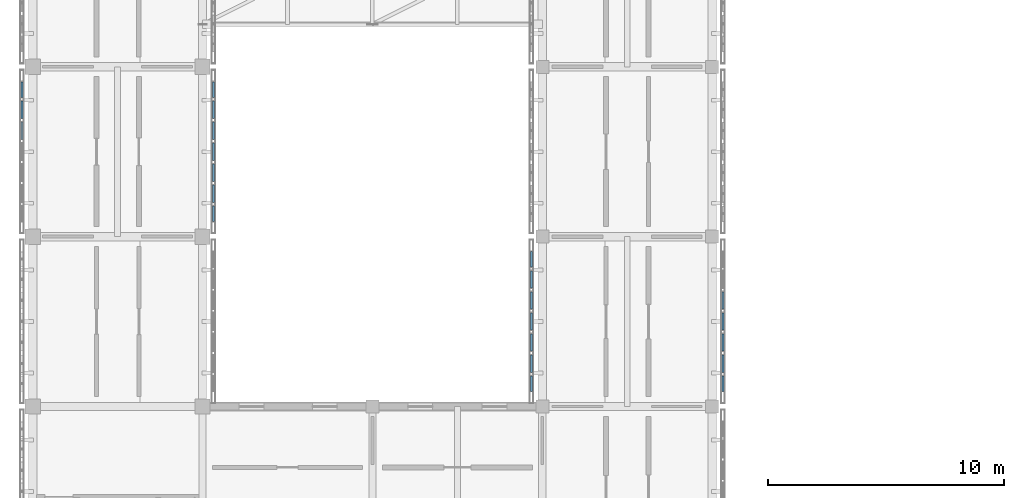
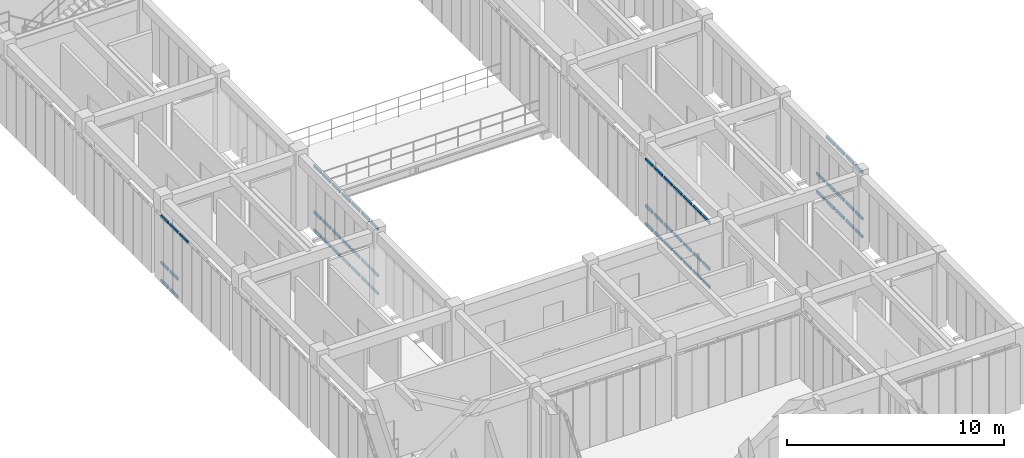
# One storey, part 26 of 91: 63 members, 4 elements without a shape of their own.
"""IFC4 building model written with IfcOpenShell, lengths in metres."""

from ifc_helpers import new_model, si_unit, direction, frame, origin, origin_2d, place, context, subcontext, project, spatial, hollow_rectangle, extrude, material, material_profile, profile_set, type_object, element, aggregate, save


model = new_model("IFC4")

# Units and contexts
model_context = context("Model", 3, precision=1e-05, world=origin(), true_north=direction((0.0, 1.0)))
body_context = subcontext(model_context, "Body", "Model", "MODEL_VIEW")
ifc_project = project(units=[si_unit("LENGTHUNIT", "METRE"), si_unit("AREAUNIT", "SQUARE_METRE"), si_unit("VOLUMEUNIT", "CUBIC_METRE"), si_unit("PLANEANGLEUNIT", "RADIAN"), si_unit("MASSUNIT", "GRAM", prefix="KILO")], contexts=[model_context])

# Site, building, storey
site_placement = place(None, origin())
site = spatial("IfcSite", under=ifc_project, at=site_placement, CompositionType="ELEMENT")
building_placement = place(site_placement, origin())
building = spatial("IfcBuilding", under=site, at=building_placement, Name="Aldebral Square Health Centre", CompositionType="ELEMENT")
storey_placement = place(building_placement, frame((0.0, 0.0, 9.0)))
storey = spatial("IfcBuildingStorey", under=building, at=storey_placement, Name="L02", CompositionType="ELEMENT", Elevation=9.0)

# Curtain wall, members
ifc_material_1 = material(Name="Aluminium and low-E solar glass", Category="aluminium")
curtain_wall_type = type_object("IfcCurtainWallType", Name="CW-FIN-SYS", PredefinedType="USERDEFINED", material=ifc_material_1)
curtain_wall_1_placement = place(storey_placement, origin())
curtain_wall_1 = element("IfcCurtainWall", 1, at=curtain_wall_1_placement, inside=storey, type_object=curtain_wall_type, Name="L02 V4 finned curtain wall L02-V4-00-10-W", ObjectType="SOLAR_CURTAIN_WALL", PredefinedType="USERDEFINED")
ifc_material_2 = material(Name="Anodised aluminium transom", Category="aluminium")
ifc_material_profile = material_profile(ifc_material_2, hollow_rectangle(XDim=0.074951171875, YDim=0.14990234375, WallThickness=0.00390625, at=origin_2d()), Name="CWT 75x150x4")
ifc_profile_set = profile_set([ifc_material_profile], Name="Anodised aluminium transom")
member_type = type_object("IfcMemberType", Name="CWT-STD", PredefinedType="USERDEFINED", material=ifc_profile_set)
member_1_placement = place(storey_placement, frame((-0.4599609375, 78.56005859375, 0.03759765625), z_axis=(0.0, -1.0, 0.0), x_axis=(1.0, 0.0, 0.0)))
member_1 = element("IfcMember", 2, at=member_1_placement, type_object=member_type, Name="CW1 transom 1.1", ObjectType="TRANSOM", PredefinedType="USERDEFINED", context=body_context, shape_type="SweptSolid", body=[
    extrude(hollow_rectangle(XDim=0.074951171875, YDim=0.14990234375, WallThickness=0.00390625, at=origin_2d()), origin(), (0.0, 0.0, 1.0), 0.6513671875),
])
member_2_placement = place(storey_placement, frame((-0.4599609375, 78.56005859375, 1.050048828125), z_axis=(0.0, -1.0, 0.0), x_axis=(1.0, 0.0, 0.0)))
member_2 = element("IfcMember", 3, at=member_2_placement, type_object=member_type, Name="CW1 transom 1.2", ObjectType="TRANSOM", PredefinedType="USERDEFINED", context=body_context, shape_type="SweptSolid", body=[
    extrude(hollow_rectangle(XDim=0.074951171875, YDim=0.14990234375, WallThickness=0.00390625, at=origin_2d()), origin(), (0.0, 0.0, 1.0), 0.6513671875),
])
member_3_placement = place(storey_placement, frame((-0.4599609375, 78.56005859375, 3.652587890625), z_axis=(0.0, -1.0, 0.0), x_axis=(1.0, 0.0, 0.0)))
member_3 = element("IfcMember", 4, at=member_3_placement, type_object=member_type, Name="CW1 transom 1.3", ObjectType="TRANSOM", PredefinedType="USERDEFINED", context=body_context, shape_type="SweptSolid", body=[
    extrude(hollow_rectangle(XDim=0.074951171875, YDim=0.14990234375, WallThickness=0.00390625, at=origin_2d()), origin(), (0.0, 0.0, 1.0), 0.6513671875),
])
member_4_placement = place(storey_placement, frame((-0.4599609375, 77.74853515625, 0.03759765625), z_axis=(0.0, -1.0, 0.0), x_axis=(1.0, 0.0, 0.0)))
member_4 = element("IfcMember", 5, at=member_4_placement, type_object=member_type, Name="CW1 transom 2.1", ObjectType="TRANSOM", PredefinedType="USERDEFINED", context=body_context, shape_type="SweptSolid", body=[
    extrude(hollow_rectangle(XDim=0.074951171875, YDim=0.14990234375, WallThickness=0.00390625, at=origin_2d()), origin(), (0.0, 0.0, 1.0), 0.7314453125),
])
member_5_placement = place(storey_placement, frame((-0.4599609375, 77.74853515625, 1.050048828125), z_axis=(0.0, -1.0, 0.0), x_axis=(1.0, 0.0, 0.0)))
member_5 = element("IfcMember", 6, at=member_5_placement, type_object=member_type, Name="CW1 transom 2.2", ObjectType="TRANSOM", PredefinedType="USERDEFINED", context=body_context, shape_type="SweptSolid", body=[
    extrude(hollow_rectangle(XDim=0.074951171875, YDim=0.14990234375, WallThickness=0.00390625, at=origin_2d()), origin(), (0.0, 0.0, 1.0), 0.7314453125),
])
member_6_placement = place(storey_placement, frame((-0.4599609375, 77.74853515625, 3.652587890625), z_axis=(0.0, -1.0, 0.0), x_axis=(1.0, 0.0, 0.0)))
member_6 = element("IfcMember", 7, at=member_6_placement, type_object=member_type, Name="CW1 transom 2.3", ObjectType="TRANSOM", PredefinedType="USERDEFINED", context=body_context, shape_type="SweptSolid", body=[
    extrude(hollow_rectangle(XDim=0.074951171875, YDim=0.14990234375, WallThickness=0.00390625, at=origin_2d()), origin(), (0.0, 0.0, 1.0), 0.7314453125),
])
member_7_placement = place(storey_placement, frame((-0.4599609375, 76.857177734375, 3.652587890625), z_axis=(0.0, -1.0, 0.0), x_axis=(1.0, 0.0, 0.0)))
member_7 = element("IfcMember", 8, at=member_7_placement, type_object=member_type, Name="CW1 transom 3.3", ObjectType="TRANSOM", PredefinedType="USERDEFINED", context=body_context, shape_type="SweptSolid", body=[
    extrude(hollow_rectangle(XDim=0.074951171875, YDim=0.14990234375, WallThickness=0.00390625, at=origin_2d()), origin(), (0.0, 0.0, 1.0), 0.7314453125),
])
aggregate(curtain_wall_1, [member_1, member_2, member_3, member_4, member_5, member_6, member_7])

curtain_wall_2_placement = place(storey_placement, origin())
curtain_wall_2 = element("IfcCurtainWall", 9, at=curtain_wall_2_placement, inside=storey, type_object=curtain_wall_type, Name="L02 V4 finned curtain wall L02-V4-00-10-E", ObjectType="SOLAR_CURTAIN_WALL", PredefinedType="USERDEFINED")
member_8_placement = place(storey_placement, frame((7.659912109375, 72.639892578125, 0.03759765625), z_axis=(0.0, 1.0, 0.0), x_axis=(-1.0, 0.0, 0.0)))
member_8 = element("IfcMember", 10, at=member_8_placement, type_object=member_type, Name="CW1 transom 1.1", ObjectType="TRANSOM", PredefinedType="USERDEFINED", context=body_context, shape_type="SweptSolid", body=[
    extrude(hollow_rectangle(XDim=0.074951171875, YDim=0.14990234375, WallThickness=0.00390625, at=origin_2d()), origin(), (0.0, 0.0, 1.0), 0.651611328125),
])
member_9_placement = place(storey_placement, frame((7.659912109375, 72.639892578125, 1.050048828125), z_axis=(0.0, 1.0, 0.0), x_axis=(-1.0, 0.0, 0.0)))
member_9 = element("IfcMember", 11, at=member_9_placement, type_object=member_type, Name="CW1 transom 1.2", ObjectType="TRANSOM", PredefinedType="USERDEFINED", context=body_context, shape_type="SweptSolid", body=[
    extrude(hollow_rectangle(XDim=0.074951171875, YDim=0.14990234375, WallThickness=0.00390625, at=origin_2d()), origin(), (0.0, 0.0, 1.0), 0.651611328125),
])
member_10_placement = place(storey_placement, frame((7.659912109375, 72.639892578125, 3.652587890625), z_axis=(0.0, 1.0, 0.0), x_axis=(-1.0, 0.0, 0.0)))
member_10 = element("IfcMember", 12, at=member_10_placement, type_object=member_type, Name="CW1 transom 1.3", ObjectType="TRANSOM", PredefinedType="USERDEFINED", context=body_context, shape_type="SweptSolid", body=[
    extrude(hollow_rectangle(XDim=0.074951171875, YDim=0.14990234375, WallThickness=0.00390625, at=origin_2d()), origin(), (0.0, 0.0, 1.0), 0.651611328125),
])
member_11_placement = place(storey_placement, frame((7.659912109375, 73.451416015625, 0.03759765625), z_axis=(0.0, 1.0, 0.0), x_axis=(-1.0, 0.0, 0.0)))
member_11 = element("IfcMember", 13, at=member_11_placement, type_object=member_type, Name="CW1 transom 2.1", ObjectType="TRANSOM", PredefinedType="USERDEFINED", context=body_context, shape_type="SweptSolid", body=[
    extrude(hollow_rectangle(XDim=0.074951171875, YDim=0.14990234375, WallThickness=0.00390625, at=origin_2d()), origin(), (0.0, 0.0, 1.0), 0.7314453125),
])
member_12_placement = place(storey_placement, frame((7.659912109375, 73.451416015625, 1.050048828125), z_axis=(0.0, 1.0, 0.0), x_axis=(-1.0, 0.0, 0.0)))
member_12 = element("IfcMember", 14, at=member_12_placement, type_object=member_type, Name="CW1 transom 2.2", ObjectType="TRANSOM", PredefinedType="USERDEFINED", context=body_context, shape_type="SweptSolid", body=[
    extrude(hollow_rectangle(XDim=0.074951171875, YDim=0.14990234375, WallThickness=0.00390625, at=origin_2d()), origin(), (0.0, 0.0, 1.0), 0.7314453125),
])
member_13_placement = place(storey_placement, frame((7.659912109375, 73.451416015625, 3.652587890625), z_axis=(0.0, 1.0, 0.0), x_axis=(-1.0, 0.0, 0.0)))
member_13 = element("IfcMember", 15, at=member_13_placement, type_object=member_type, Name="CW1 transom 2.3", ObjectType="TRANSOM", PredefinedType="USERDEFINED", context=body_context, shape_type="SweptSolid", body=[
    extrude(hollow_rectangle(XDim=0.074951171875, YDim=0.14990234375, WallThickness=0.00390625, at=origin_2d()), origin(), (0.0, 0.0, 1.0), 0.7314453125),
])
member_14_placement = place(storey_placement, frame((7.659912109375, 74.3427734375, 0.03759765625), z_axis=(0.0, 1.0, 0.0), x_axis=(-1.0, 0.0, 0.0)))
member_14 = element("IfcMember", 16, at=member_14_placement, type_object=member_type, Name="CW1 transom 3.1", ObjectType="TRANSOM", PredefinedType="USERDEFINED", context=body_context, shape_type="SweptSolid", body=[
    extrude(hollow_rectangle(XDim=0.074951171875, YDim=0.14990234375, WallThickness=0.00390625, at=origin_2d()), origin(), (0.0, 0.0, 1.0), 0.7314453125),
])
member_15_placement = place(storey_placement, frame((7.659912109375, 74.3427734375, 1.050048828125), z_axis=(0.0, 1.0, 0.0), x_axis=(-1.0, 0.0, 0.0)))
member_15 = element("IfcMember", 17, at=member_15_placement, type_object=member_type, Name="CW1 transom 3.2", ObjectType="TRANSOM", PredefinedType="USERDEFINED", context=body_context, shape_type="SweptSolid", body=[
    extrude(hollow_rectangle(XDim=0.074951171875, YDim=0.14990234375, WallThickness=0.00390625, at=origin_2d()), origin(), (0.0, 0.0, 1.0), 0.7314453125),
])
member_16_placement = place(storey_placement, frame((7.659912109375, 74.3427734375, 3.652587890625), z_axis=(0.0, 1.0, 0.0), x_axis=(-1.0, 0.0, 0.0)))
member_16 = element("IfcMember", 18, at=member_16_placement, type_object=member_type, Name="CW1 transom 3.3", ObjectType="TRANSOM", PredefinedType="USERDEFINED", context=body_context, shape_type="SweptSolid", body=[
    extrude(hollow_rectangle(XDim=0.074951171875, YDim=0.14990234375, WallThickness=0.00390625, at=origin_2d()), origin(), (0.0, 0.0, 1.0), 0.7314453125),
])
member_17_placement = place(storey_placement, frame((7.659912109375, 75.234375, 0.03759765625), z_axis=(0.0, 1.0, 0.0), x_axis=(-1.0, 0.0, 0.0)))
member_17 = element("IfcMember", 19, at=member_17_placement, type_object=member_type, Name="CW1 transom 4.1", ObjectType="TRANSOM", PredefinedType="USERDEFINED", context=body_context, shape_type="SweptSolid", body=[
    extrude(hollow_rectangle(XDim=0.074951171875, YDim=0.14990234375, WallThickness=0.00390625, at=origin_2d()), origin(), (0.0, 0.0, 1.0), 0.7314453125),
])
member_18_placement = place(storey_placement, frame((7.659912109375, 75.234375, 1.050048828125), z_axis=(0.0, 1.0, 0.0), x_axis=(-1.0, 0.0, 0.0)))
member_18 = element("IfcMember", 20, at=member_18_placement, type_object=member_type, Name="CW1 transom 4.2", ObjectType="TRANSOM", PredefinedType="USERDEFINED", context=body_context, shape_type="SweptSolid", body=[
    extrude(hollow_rectangle(XDim=0.074951171875, YDim=0.14990234375, WallThickness=0.00390625, at=origin_2d()), origin(), (0.0, 0.0, 1.0), 0.7314453125),
])
member_19_placement = place(storey_placement, frame((7.659912109375, 75.234375, 3.652587890625), z_axis=(0.0, 1.0, 0.0), x_axis=(-1.0, 0.0, 0.0)))
member_19 = element("IfcMember", 21, at=member_19_placement, type_object=member_type, Name="CW1 transom 4.3", ObjectType="TRANSOM", PredefinedType="USERDEFINED", context=body_context, shape_type="SweptSolid", body=[
    extrude(hollow_rectangle(XDim=0.074951171875, YDim=0.14990234375, WallThickness=0.00390625, at=origin_2d()), origin(), (0.0, 0.0, 1.0), 0.7314453125),
])
member_20_placement = place(storey_placement, frame((7.659912109375, 76.125732421875, 0.03759765625), z_axis=(0.0, 1.0, 0.0), x_axis=(-1.0, 0.0, 0.0)))
member_20 = element("IfcMember", 22, at=member_20_placement, type_object=member_type, Name="CW1 transom 5.1", ObjectType="TRANSOM", PredefinedType="USERDEFINED", context=body_context, shape_type="SweptSolid", body=[
    extrude(hollow_rectangle(XDim=0.074951171875, YDim=0.14990234375, WallThickness=0.00390625, at=origin_2d()), origin(), (0.0, 0.0, 1.0), 0.7314453125),
])
member_21_placement = place(storey_placement, frame((7.659912109375, 76.125732421875, 1.050048828125), z_axis=(0.0, 1.0, 0.0), x_axis=(-1.0, 0.0, 0.0)))
member_21 = element("IfcMember", 23, at=member_21_placement, type_object=member_type, Name="CW1 transom 5.2", ObjectType="TRANSOM", PredefinedType="USERDEFINED", context=body_context, shape_type="SweptSolid", body=[
    extrude(hollow_rectangle(XDim=0.074951171875, YDim=0.14990234375, WallThickness=0.00390625, at=origin_2d()), origin(), (0.0, 0.0, 1.0), 0.7314453125),
])
member_22_placement = place(storey_placement, frame((7.659912109375, 76.125732421875, 3.652587890625), z_axis=(0.0, 1.0, 0.0), x_axis=(-1.0, 0.0, 0.0)))
member_22 = element("IfcMember", 24, at=member_22_placement, type_object=member_type, Name="CW1 transom 5.3", ObjectType="TRANSOM", PredefinedType="USERDEFINED", context=body_context, shape_type="SweptSolid", body=[
    extrude(hollow_rectangle(XDim=0.074951171875, YDim=0.14990234375, WallThickness=0.00390625, at=origin_2d()), origin(), (0.0, 0.0, 1.0), 0.7314453125),
])
member_23_placement = place(storey_placement, frame((7.659912109375, 77.01708984375, 0.03759765625), z_axis=(0.0, 1.0, 0.0), x_axis=(-1.0, 0.0, 0.0)))
member_23 = element("IfcMember", 25, at=member_23_placement, type_object=member_type, Name="CW1 transom 6.1", ObjectType="TRANSOM", PredefinedType="USERDEFINED", context=body_context, shape_type="SweptSolid", body=[
    extrude(hollow_rectangle(XDim=0.074951171875, YDim=0.14990234375, WallThickness=0.00390625, at=origin_2d()), origin(), (0.0, 0.0, 1.0), 0.7314453125),
])
member_24_placement = place(storey_placement, frame((7.659912109375, 77.01708984375, 1.050048828125), z_axis=(0.0, 1.0, 0.0), x_axis=(-1.0, 0.0, 0.0)))
member_24 = element("IfcMember", 26, at=member_24_placement, type_object=member_type, Name="CW1 transom 6.2", ObjectType="TRANSOM", PredefinedType="USERDEFINED", context=body_context, shape_type="SweptSolid", body=[
    extrude(hollow_rectangle(XDim=0.074951171875, YDim=0.14990234375, WallThickness=0.00390625, at=origin_2d()), origin(), (0.0, 0.0, 1.0), 0.7314453125),
])
member_25_placement = place(storey_placement, frame((7.659912109375, 77.01708984375, 3.652587890625), z_axis=(0.0, 1.0, 0.0), x_axis=(-1.0, 0.0, 0.0)))
member_25 = element("IfcMember", 27, at=member_25_placement, type_object=member_type, Name="CW1 transom 6.3", ObjectType="TRANSOM", PredefinedType="USERDEFINED", context=body_context, shape_type="SweptSolid", body=[
    extrude(hollow_rectangle(XDim=0.074951171875, YDim=0.14990234375, WallThickness=0.00390625, at=origin_2d()), origin(), (0.0, 0.0, 1.0), 0.7314453125),
])
member_26_placement = place(storey_placement, frame((7.659912109375, 77.90869140625, 0.03759765625), z_axis=(0.0, 1.0, 0.0), x_axis=(-1.0, 0.0, 0.0)))
member_26 = element("IfcMember", 28, at=member_26_placement, type_object=member_type, Name="CW1 transom 7.1", ObjectType="TRANSOM", PredefinedType="USERDEFINED", context=body_context, shape_type="SweptSolid", body=[
    extrude(hollow_rectangle(XDim=0.074951171875, YDim=0.14990234375, WallThickness=0.00390625, at=origin_2d()), origin(), (0.0, 0.0, 1.0), 0.6513671875),
])
member_27_placement = place(storey_placement, frame((7.659912109375, 77.90869140625, 1.050048828125), z_axis=(0.0, 1.0, 0.0), x_axis=(-1.0, 0.0, 0.0)))
member_27 = element("IfcMember", 29, at=member_27_placement, type_object=member_type, Name="CW1 transom 7.2", ObjectType="TRANSOM", PredefinedType="USERDEFINED", context=body_context, shape_type="SweptSolid", body=[
    extrude(hollow_rectangle(XDim=0.074951171875, YDim=0.14990234375, WallThickness=0.00390625, at=origin_2d()), origin(), (0.0, 0.0, 1.0), 0.6513671875),
])
member_28_placement = place(storey_placement, frame((7.659912109375, 77.90869140625, 3.652587890625), z_axis=(0.0, 1.0, 0.0), x_axis=(-1.0, 0.0, 0.0)))
member_28 = element("IfcMember", 30, at=member_28_placement, type_object=member_type, Name="CW1 transom 7.3", ObjectType="TRANSOM", PredefinedType="USERDEFINED", context=body_context, shape_type="SweptSolid", body=[
    extrude(hollow_rectangle(XDim=0.074951171875, YDim=0.14990234375, WallThickness=0.00390625, at=origin_2d()), origin(), (0.0, 0.0, 1.0), 0.6513671875),
])
aggregate(curtain_wall_2, [member_8, member_9, member_10, member_11, member_12, member_13, member_14, member_15, member_16, member_17, member_18, member_19, member_20, member_21, member_22, member_23, member_24, member_25, member_26, member_27, member_28])

curtain_wall_3_placement = place(storey_placement, origin())
curtain_wall_3 = element("IfcCurtainWall", 31, at=curtain_wall_3_placement, inside=storey, type_object=curtain_wall_type, Name="L02 V4 finned curtain wall L02-V4-03-09-W", ObjectType="SOLAR_CURTAIN_WALL", PredefinedType="USERDEFINED")
member_29_placement = place(storey_placement, frame((21.139892578125, 71.360107421875, 0.03759765625), z_axis=(0.0, -1.0, 0.0), x_axis=(1.0, 0.0, 0.0)))
member_29 = element("IfcMember", 32, at=member_29_placement, type_object=member_type, Name="CW1 transom 1.1", ObjectType="TRANSOM", PredefinedType="USERDEFINED", context=body_context, shape_type="SweptSolid", body=[
    extrude(hollow_rectangle(XDim=0.074951171875, YDim=0.14990234375, WallThickness=0.00390625, at=origin_2d()), origin(), (0.0, 0.0, 1.0), 0.651611328125),
])
member_30_placement = place(storey_placement, frame((21.139892578125, 71.360107421875, 1.050048828125), z_axis=(0.0, -1.0, 0.0), x_axis=(1.0, 0.0, 0.0)))
member_30 = element("IfcMember", 33, at=member_30_placement, type_object=member_type, Name="CW1 transom 1.2", ObjectType="TRANSOM", PredefinedType="USERDEFINED", context=body_context, shape_type="SweptSolid", body=[
    extrude(hollow_rectangle(XDim=0.074951171875, YDim=0.14990234375, WallThickness=0.00390625, at=origin_2d()), origin(), (0.0, 0.0, 1.0), 0.651611328125),
])
member_31_placement = place(storey_placement, frame((21.139892578125, 71.360107421875, 3.652587890625), z_axis=(0.0, -1.0, 0.0), x_axis=(1.0, 0.0, 0.0)))
member_31 = element("IfcMember", 34, at=member_31_placement, type_object=member_type, Name="CW1 transom 1.3", ObjectType="TRANSOM", PredefinedType="USERDEFINED", context=body_context, shape_type="SweptSolid", body=[
    extrude(hollow_rectangle(XDim=0.074951171875, YDim=0.14990234375, WallThickness=0.00390625, at=origin_2d()), origin(), (0.0, 0.0, 1.0), 0.651611328125),
])
member_32_placement = place(storey_placement, frame((21.139892578125, 70.548583984375, 0.03759765625), z_axis=(0.0, -1.0, 0.0), x_axis=(1.0, 0.0, 0.0)))
member_32 = element("IfcMember", 35, at=member_32_placement, type_object=member_type, Name="CW1 transom 2.1", ObjectType="TRANSOM", PredefinedType="USERDEFINED", context=body_context, shape_type="SweptSolid", body=[
    extrude(hollow_rectangle(XDim=0.074951171875, YDim=0.14990234375, WallThickness=0.00390625, at=origin_2d()), origin(), (0.0, 0.0, 1.0), 0.7314453125),
])
member_33_placement = place(storey_placement, frame((21.139892578125, 70.548583984375, 1.050048828125), z_axis=(0.0, -1.0, 0.0), x_axis=(1.0, 0.0, 0.0)))
member_33 = element("IfcMember", 36, at=member_33_placement, type_object=member_type, Name="CW1 transom 2.2", ObjectType="TRANSOM", PredefinedType="USERDEFINED", context=body_context, shape_type="SweptSolid", body=[
    extrude(hollow_rectangle(XDim=0.074951171875, YDim=0.14990234375, WallThickness=0.00390625, at=origin_2d()), origin(), (0.0, 0.0, 1.0), 0.7314453125),
])
member_34_placement = place(storey_placement, frame((21.139892578125, 70.548583984375, 3.652587890625), z_axis=(0.0, -1.0, 0.0), x_axis=(1.0, 0.0, 0.0)))
member_34 = element("IfcMember", 37, at=member_34_placement, type_object=member_type, Name="CW1 transom 2.3", ObjectType="TRANSOM", PredefinedType="USERDEFINED", context=body_context, shape_type="SweptSolid", body=[
    extrude(hollow_rectangle(XDim=0.074951171875, YDim=0.14990234375, WallThickness=0.00390625, at=origin_2d()), origin(), (0.0, 0.0, 1.0), 0.7314453125),
])
member_35_placement = place(storey_placement, frame((21.139892578125, 69.6572265625, 0.03759765625), z_axis=(0.0, -1.0, 0.0), x_axis=(1.0, 0.0, 0.0)))
member_35 = element("IfcMember", 38, at=member_35_placement, type_object=member_type, Name="CW1 transom 3.1", ObjectType="TRANSOM", PredefinedType="USERDEFINED", context=body_context, shape_type="SweptSolid", body=[
    extrude(hollow_rectangle(XDim=0.074951171875, YDim=0.14990234375, WallThickness=0.00390625, at=origin_2d()), origin(), (0.0, 0.0, 1.0), 0.7314453125),
])
member_36_placement = place(storey_placement, frame((21.139892578125, 69.6572265625, 1.050048828125), z_axis=(0.0, -1.0, 0.0), x_axis=(1.0, 0.0, 0.0)))
member_36 = element("IfcMember", 39, at=member_36_placement, type_object=member_type, Name="CW1 transom 3.2", ObjectType="TRANSOM", PredefinedType="USERDEFINED", context=body_context, shape_type="SweptSolid", body=[
    extrude(hollow_rectangle(XDim=0.074951171875, YDim=0.14990234375, WallThickness=0.00390625, at=origin_2d()), origin(), (0.0, 0.0, 1.0), 0.7314453125),
])
member_37_placement = place(storey_placement, frame((21.139892578125, 69.6572265625, 3.652587890625), z_axis=(0.0, -1.0, 0.0), x_axis=(1.0, 0.0, 0.0)))
member_37 = element("IfcMember", 40, at=member_37_placement, type_object=member_type, Name="CW1 transom 3.3", ObjectType="TRANSOM", PredefinedType="USERDEFINED", context=body_context, shape_type="SweptSolid", body=[
    extrude(hollow_rectangle(XDim=0.074951171875, YDim=0.14990234375, WallThickness=0.00390625, at=origin_2d()), origin(), (0.0, 0.0, 1.0), 0.7314453125),
])
member_38_placement = place(storey_placement, frame((21.139892578125, 68.765625, 0.03759765625), z_axis=(0.0, -1.0, 0.0), x_axis=(1.0, 0.0, 0.0)))
member_38 = element("IfcMember", 41, at=member_38_placement, type_object=member_type, Name="CW1 transom 4.1", ObjectType="TRANSOM", PredefinedType="USERDEFINED", context=body_context, shape_type="SweptSolid", body=[
    extrude(hollow_rectangle(XDim=0.074951171875, YDim=0.14990234375, WallThickness=0.00390625, at=origin_2d()), origin(), (0.0, 0.0, 1.0), 0.7314453125),
])
member_39_placement = place(storey_placement, frame((21.139892578125, 68.765625, 1.050048828125), z_axis=(0.0, -1.0, 0.0), x_axis=(1.0, 0.0, 0.0)))
member_39 = element("IfcMember", 42, at=member_39_placement, type_object=member_type, Name="CW1 transom 4.2", ObjectType="TRANSOM", PredefinedType="USERDEFINED", context=body_context, shape_type="SweptSolid", body=[
    extrude(hollow_rectangle(XDim=0.074951171875, YDim=0.14990234375, WallThickness=0.00390625, at=origin_2d()), origin(), (0.0, 0.0, 1.0), 0.7314453125),
])
member_40_placement = place(storey_placement, frame((21.139892578125, 68.765625, 3.652587890625), z_axis=(0.0, -1.0, 0.0), x_axis=(1.0, 0.0, 0.0)))
member_40 = element("IfcMember", 43, at=member_40_placement, type_object=member_type, Name="CW1 transom 4.3", ObjectType="TRANSOM", PredefinedType="USERDEFINED", context=body_context, shape_type="SweptSolid", body=[
    extrude(hollow_rectangle(XDim=0.074951171875, YDim=0.14990234375, WallThickness=0.00390625, at=origin_2d()), origin(), (0.0, 0.0, 1.0), 0.7314453125),
])
member_41_placement = place(storey_placement, frame((21.139892578125, 67.874267578125, 0.03759765625), z_axis=(0.0, -1.0, 0.0), x_axis=(1.0, 0.0, 0.0)))
member_41 = element("IfcMember", 44, at=member_41_placement, type_object=member_type, Name="CW1 transom 5.1", ObjectType="TRANSOM", PredefinedType="USERDEFINED", context=body_context, shape_type="SweptSolid", body=[
    extrude(hollow_rectangle(XDim=0.074951171875, YDim=0.14990234375, WallThickness=0.00390625, at=origin_2d()), origin(), (0.0, 0.0, 1.0), 0.7314453125),
])
member_42_placement = place(storey_placement, frame((21.139892578125, 67.874267578125, 1.050048828125), z_axis=(0.0, -1.0, 0.0), x_axis=(1.0, 0.0, 0.0)))
member_42 = element("IfcMember", 45, at=member_42_placement, type_object=member_type, Name="CW1 transom 5.2", ObjectType="TRANSOM", PredefinedType="USERDEFINED", context=body_context, shape_type="SweptSolid", body=[
    extrude(hollow_rectangle(XDim=0.074951171875, YDim=0.14990234375, WallThickness=0.00390625, at=origin_2d()), origin(), (0.0, 0.0, 1.0), 0.7314453125),
])
member_43_placement = place(storey_placement, frame((21.139892578125, 67.874267578125, 3.652587890625), z_axis=(0.0, -1.0, 0.0), x_axis=(1.0, 0.0, 0.0)))
member_43 = element("IfcMember", 46, at=member_43_placement, type_object=member_type, Name="CW1 transom 5.3", ObjectType="TRANSOM", PredefinedType="USERDEFINED", context=body_context, shape_type="SweptSolid", body=[
    extrude(hollow_rectangle(XDim=0.074951171875, YDim=0.14990234375, WallThickness=0.00390625, at=origin_2d()), origin(), (0.0, 0.0, 1.0), 0.7314453125),
])
member_44_placement = place(storey_placement, frame((21.139892578125, 66.98291015625, 0.03759765625), z_axis=(0.0, -1.0, 0.0), x_axis=(1.0, 0.0, 0.0)))
member_44 = element("IfcMember", 47, at=member_44_placement, type_object=member_type, Name="CW1 transom 6.1", ObjectType="TRANSOM", PredefinedType="USERDEFINED", context=body_context, shape_type="SweptSolid", body=[
    extrude(hollow_rectangle(XDim=0.074951171875, YDim=0.14990234375, WallThickness=0.00390625, at=origin_2d()), origin(), (0.0, 0.0, 1.0), 0.7314453125),
])
member_45_placement = place(storey_placement, frame((21.139892578125, 66.98291015625, 1.050048828125), z_axis=(0.0, -1.0, 0.0), x_axis=(1.0, 0.0, 0.0)))
member_45 = element("IfcMember", 48, at=member_45_placement, type_object=member_type, Name="CW1 transom 6.2", ObjectType="TRANSOM", PredefinedType="USERDEFINED", context=body_context, shape_type="SweptSolid", body=[
    extrude(hollow_rectangle(XDim=0.074951171875, YDim=0.14990234375, WallThickness=0.00390625, at=origin_2d()), origin(), (0.0, 0.0, 1.0), 0.7314453125),
])
member_46_placement = place(storey_placement, frame((21.139892578125, 66.98291015625, 3.652587890625), z_axis=(0.0, -1.0, 0.0), x_axis=(1.0, 0.0, 0.0)))
member_46 = element("IfcMember", 49, at=member_46_placement, type_object=member_type, Name="CW1 transom 6.3", ObjectType="TRANSOM", PredefinedType="USERDEFINED", context=body_context, shape_type="SweptSolid", body=[
    extrude(hollow_rectangle(XDim=0.074951171875, YDim=0.14990234375, WallThickness=0.00390625, at=origin_2d()), origin(), (0.0, 0.0, 1.0), 0.7314453125),
])
member_47_placement = place(storey_placement, frame((21.139892578125, 66.09130859375, 0.03759765625), z_axis=(0.0, -1.0, 0.0), x_axis=(1.0, 0.0, 0.0)))
member_47 = element("IfcMember", 50, at=member_47_placement, type_object=member_type, Name="CW1 transom 7.1", ObjectType="TRANSOM", PredefinedType="USERDEFINED", context=body_context, shape_type="SweptSolid", body=[
    extrude(hollow_rectangle(XDim=0.074951171875, YDim=0.14990234375, WallThickness=0.00390625, at=origin_2d()), origin(), (0.0, 0.0, 1.0), 0.6513671875),
])
member_48_placement = place(storey_placement, frame((21.139892578125, 66.09130859375, 1.050048828125), z_axis=(0.0, -1.0, 0.0), x_axis=(1.0, 0.0, 0.0)))
member_48 = element("IfcMember", 51, at=member_48_placement, type_object=member_type, Name="CW1 transom 7.2", ObjectType="TRANSOM", PredefinedType="USERDEFINED", context=body_context, shape_type="SweptSolid", body=[
    extrude(hollow_rectangle(XDim=0.074951171875, YDim=0.14990234375, WallThickness=0.00390625, at=origin_2d()), origin(), (0.0, 0.0, 1.0), 0.6513671875),
])
member_49_placement = place(storey_placement, frame((21.139892578125, 66.09130859375, 3.652587890625), z_axis=(0.0, -1.0, 0.0), x_axis=(1.0, 0.0, 0.0)))
member_49 = element("IfcMember", 52, at=member_49_placement, type_object=member_type, Name="CW1 transom 7.3", ObjectType="TRANSOM", PredefinedType="USERDEFINED", context=body_context, shape_type="SweptSolid", body=[
    extrude(hollow_rectangle(XDim=0.074951171875, YDim=0.14990234375, WallThickness=0.00390625, at=origin_2d()), origin(), (0.0, 0.0, 1.0), 0.6513671875),
])
aggregate(curtain_wall_3, [member_29, member_30, member_31, member_32, member_33, member_34, member_35, member_36, member_37, member_38, member_39, member_40, member_41, member_42, member_43, member_44, member_45, member_46, member_47, member_48, member_49])

curtain_wall_4_placement = place(storey_placement, origin())
curtain_wall_4 = element("IfcCurtainWall", 53, at=curtain_wall_4_placement, inside=storey, type_object=curtain_wall_type, Name="L02 V4 finned curtain wall L02-V4-03-09-E", ObjectType="SOLAR_CURTAIN_WALL", PredefinedType="USERDEFINED")
member_50_placement = place(storey_placement, frame((29.260009765625, 65.43994140625, 0.03759765625), z_axis=(0.0, 1.0, 0.0), x_axis=(-1.0, 0.0, 0.0)))
member_50 = element("IfcMember", 54, at=member_50_placement, type_object=member_type, Name="CW1 transom 1.1", ObjectType="TRANSOM", PredefinedType="USERDEFINED", context=body_context, shape_type="SweptSolid", body=[
    extrude(hollow_rectangle(XDim=0.074951171875, YDim=0.14990234375, WallThickness=0.00390625, at=origin_2d()), origin(), (0.0, 0.0, 1.0), 0.6513671875),
])
member_51_placement = place(storey_placement, frame((29.260009765625, 65.43994140625, 1.050048828125), z_axis=(0.0, 1.0, 0.0), x_axis=(-1.0, 0.0, 0.0)))
member_51 = element("IfcMember", 55, at=member_51_placement, type_object=member_type, Name="CW1 transom 1.2", ObjectType="TRANSOM", PredefinedType="USERDEFINED", context=body_context, shape_type="SweptSolid", body=[
    extrude(hollow_rectangle(XDim=0.074951171875, YDim=0.14990234375, WallThickness=0.00390625, at=origin_2d()), origin(), (0.0, 0.0, 1.0), 0.6513671875),
])
member_52_placement = place(storey_placement, frame((29.260009765625, 65.43994140625, 3.652587890625), z_axis=(0.0, 1.0, 0.0), x_axis=(-1.0, 0.0, 0.0)))
member_52 = element("IfcMember", 56, at=member_52_placement, type_object=member_type, Name="CW1 transom 1.3", ObjectType="TRANSOM", PredefinedType="USERDEFINED", context=body_context, shape_type="SweptSolid", body=[
    extrude(hollow_rectangle(XDim=0.074951171875, YDim=0.14990234375, WallThickness=0.00390625, at=origin_2d()), origin(), (0.0, 0.0, 1.0), 0.6513671875),
])
member_53_placement = place(storey_placement, frame((29.260009765625, 66.25146484375, 0.03759765625), z_axis=(0.0, 1.0, 0.0), x_axis=(-1.0, 0.0, 0.0)))
member_53 = element("IfcMember", 57, at=member_53_placement, type_object=member_type, Name="CW1 transom 2.1", ObjectType="TRANSOM", PredefinedType="USERDEFINED", context=body_context, shape_type="SweptSolid", body=[
    extrude(hollow_rectangle(XDim=0.074951171875, YDim=0.14990234375, WallThickness=0.00390625, at=origin_2d()), origin(), (0.0, 0.0, 1.0), 0.7314453125),
])
member_54_placement = place(storey_placement, frame((29.260009765625, 66.25146484375, 1.050048828125), z_axis=(0.0, 1.0, 0.0), x_axis=(-1.0, 0.0, 0.0)))
member_54 = element("IfcMember", 58, at=member_54_placement, type_object=member_type, Name="CW1 transom 2.2", ObjectType="TRANSOM", PredefinedType="USERDEFINED", context=body_context, shape_type="SweptSolid", body=[
    extrude(hollow_rectangle(XDim=0.074951171875, YDim=0.14990234375, WallThickness=0.00390625, at=origin_2d()), origin(), (0.0, 0.0, 1.0), 0.7314453125),
])
member_55_placement = place(storey_placement, frame((29.260009765625, 66.25146484375, 3.652587890625), z_axis=(0.0, 1.0, 0.0), x_axis=(-1.0, 0.0, 0.0)))
member_55 = element("IfcMember", 59, at=member_55_placement, type_object=member_type, Name="CW1 transom 2.3", ObjectType="TRANSOM", PredefinedType="USERDEFINED", context=body_context, shape_type="SweptSolid", body=[
    extrude(hollow_rectangle(XDim=0.074951171875, YDim=0.14990234375, WallThickness=0.00390625, at=origin_2d()), origin(), (0.0, 0.0, 1.0), 0.7314453125),
])
member_56_placement = place(storey_placement, frame((29.260009765625, 67.142822265625, 0.03759765625), z_axis=(0.0, 1.0, 0.0), x_axis=(-1.0, 0.0, 0.0)))
member_56 = element("IfcMember", 60, at=member_56_placement, type_object=member_type, Name="CW1 transom 3.1", ObjectType="TRANSOM", PredefinedType="USERDEFINED", context=body_context, shape_type="SweptSolid", body=[
    extrude(hollow_rectangle(XDim=0.074951171875, YDim=0.14990234375, WallThickness=0.00390625, at=origin_2d()), origin(), (0.0, 0.0, 1.0), 0.7314453125),
])
member_57_placement = place(storey_placement, frame((29.260009765625, 67.142822265625, 1.050048828125), z_axis=(0.0, 1.0, 0.0), x_axis=(-1.0, 0.0, 0.0)))
member_57 = element("IfcMember", 61, at=member_57_placement, type_object=member_type, Name="CW1 transom 3.2", ObjectType="TRANSOM", PredefinedType="USERDEFINED", context=body_context, shape_type="SweptSolid", body=[
    extrude(hollow_rectangle(XDim=0.074951171875, YDim=0.14990234375, WallThickness=0.00390625, at=origin_2d()), origin(), (0.0, 0.0, 1.0), 0.7314453125),
])
member_58_placement = place(storey_placement, frame((29.260009765625, 67.142822265625, 3.652587890625), z_axis=(0.0, 1.0, 0.0), x_axis=(-1.0, 0.0, 0.0)))
member_58 = element("IfcMember", 62, at=member_58_placement, type_object=member_type, Name="CW1 transom 3.3", ObjectType="TRANSOM", PredefinedType="USERDEFINED", context=body_context, shape_type="SweptSolid", body=[
    extrude(hollow_rectangle(XDim=0.074951171875, YDim=0.14990234375, WallThickness=0.00390625, at=origin_2d()), origin(), (0.0, 0.0, 1.0), 0.7314453125),
])
member_59_placement = place(storey_placement, frame((29.260009765625, 68.0341796875, 0.03759765625), z_axis=(0.0, 1.0, 0.0), x_axis=(-1.0, 0.0, 0.0)))
member_59 = element("IfcMember", 63, at=member_59_placement, type_object=member_type, Name="CW1 transom 4.1", ObjectType="TRANSOM", PredefinedType="USERDEFINED", context=body_context, shape_type="SweptSolid", body=[
    extrude(hollow_rectangle(XDim=0.074951171875, YDim=0.14990234375, WallThickness=0.00390625, at=origin_2d()), origin(), (0.0, 0.0, 1.0), 0.7314453125),
])
member_60_placement = place(storey_placement, frame((29.260009765625, 68.0341796875, 1.050048828125), z_axis=(0.0, 1.0, 0.0), x_axis=(-1.0, 0.0, 0.0)))
member_60 = element("IfcMember", 64, at=member_60_placement, type_object=member_type, Name="CW1 transom 4.2", ObjectType="TRANSOM", PredefinedType="USERDEFINED", context=body_context, shape_type="SweptSolid", body=[
    extrude(hollow_rectangle(XDim=0.074951171875, YDim=0.14990234375, WallThickness=0.00390625, at=origin_2d()), origin(), (0.0, 0.0, 1.0), 0.7314453125),
])
member_61_placement = place(storey_placement, frame((29.260009765625, 68.0341796875, 3.652587890625), z_axis=(0.0, 1.0, 0.0), x_axis=(-1.0, 0.0, 0.0)))
member_61 = element("IfcMember", 65, at=member_61_placement, type_object=member_type, Name="CW1 transom 4.3", ObjectType="TRANSOM", PredefinedType="USERDEFINED", context=body_context, shape_type="SweptSolid", body=[
    extrude(hollow_rectangle(XDim=0.074951171875, YDim=0.14990234375, WallThickness=0.00390625, at=origin_2d()), origin(), (0.0, 0.0, 1.0), 0.7314453125),
])
member_62_placement = place(storey_placement, frame((29.260009765625, 68.92578125, 0.03759765625), z_axis=(0.0, 1.0, 0.0), x_axis=(-1.0, 0.0, 0.0)))
member_62 = element("IfcMember", 66, at=member_62_placement, type_object=member_type, Name="CW1 transom 5.1", ObjectType="TRANSOM", PredefinedType="USERDEFINED", context=body_context, shape_type="SweptSolid", body=[
    extrude(hollow_rectangle(XDim=0.074951171875, YDim=0.14990234375, WallThickness=0.00390625, at=origin_2d()), origin(), (0.0, 0.0, 1.0), 0.7314453125),
])
member_63_placement = place(storey_placement, frame((29.260009765625, 68.92578125, 1.050048828125), z_axis=(0.0, 1.0, 0.0), x_axis=(-1.0, 0.0, 0.0)))
member_63 = element("IfcMember", 67, at=member_63_placement, type_object=member_type, Name="CW1 transom 5.2", ObjectType="TRANSOM", PredefinedType="USERDEFINED", context=body_context, shape_type="SweptSolid", body=[
    extrude(hollow_rectangle(XDim=0.074951171875, YDim=0.14990234375, WallThickness=0.00390625, at=origin_2d()), origin(), (0.0, 0.0, 1.0), 0.7314453125),
])
aggregate(curtain_wall_4, [member_50, member_51, member_52, member_53, member_54, member_55, member_56, member_57, member_58, member_59, member_60, member_61, member_62, member_63])

save(model, "model.ifc")
